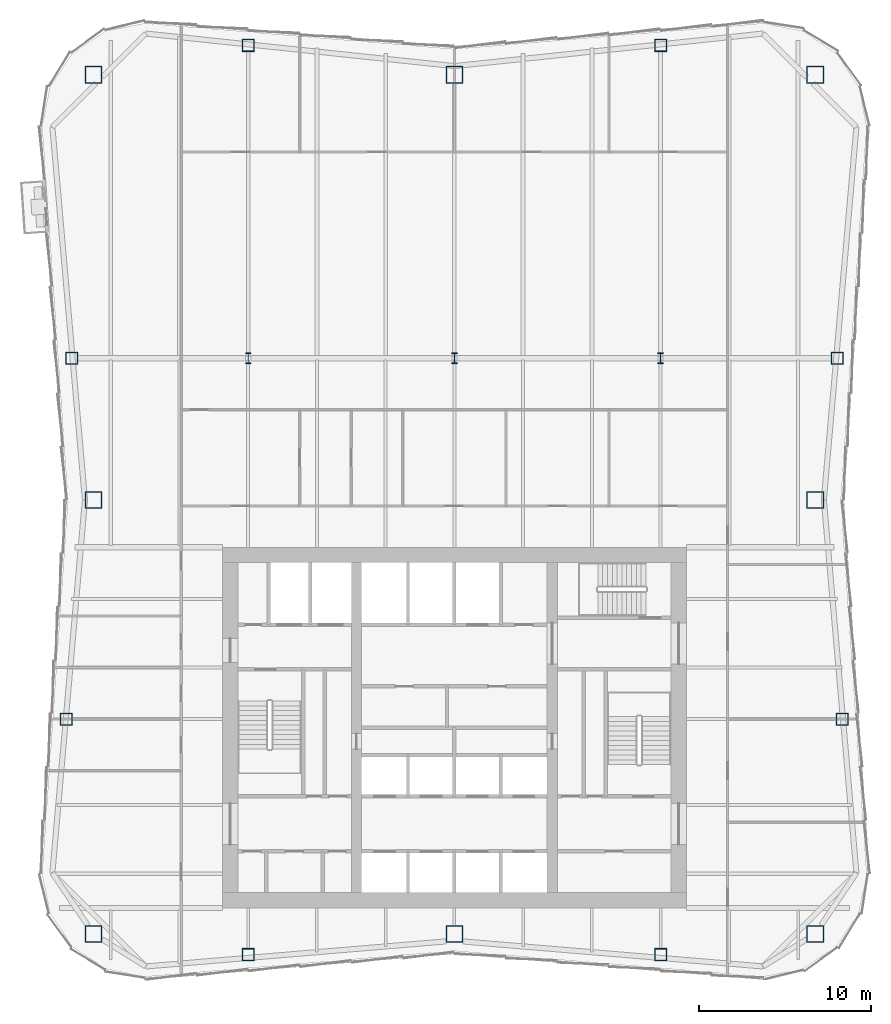
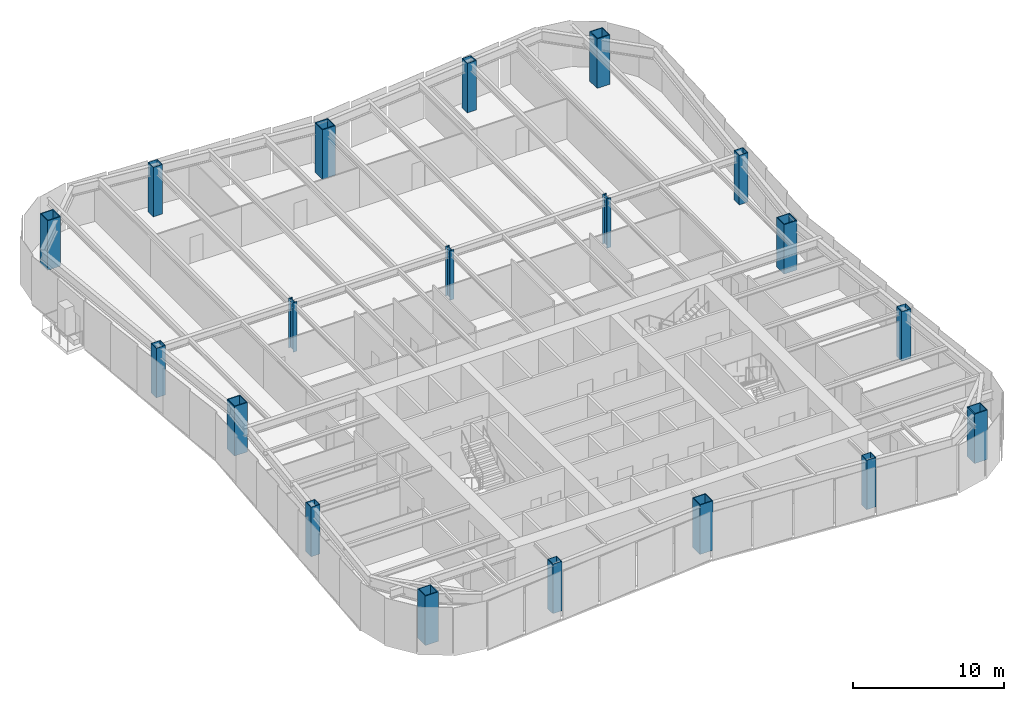
# One storey, part 1 of 10: 19 columns.
"""IFC4 building model written with IfcOpenShell, lengths in metres."""

from ifc_helpers import new_model, si_unit, direction, frame, origin, origin_2d, place, context, subcontext, project, spatial, hollow_rectangle, i_section, extrude, material, material_profile, profile_set, type_object, element, save


model = new_model("IFC4")

# Units and contexts
model_context = context("Model", 3, precision=1e-05, world=origin(), true_north=direction((0.0, 1.0)))
body_context = subcontext(model_context, "Body", "Model", "MODEL_VIEW")
ifc_project = project(units=[si_unit("LENGTHUNIT", "METRE"), si_unit("AREAUNIT", "SQUARE_METRE"), si_unit("VOLUMEUNIT", "CUBIC_METRE"), si_unit("PLANEANGLEUNIT", "RADIAN"), si_unit("MASSUNIT", "GRAM", prefix="KILO")], contexts=[model_context])

# Site, building, storey
site_placement = place(None, origin())
site = spatial("IfcSite", under=ifc_project, at=site_placement, CompositionType="ELEMENT")
building_placement = place(site_placement, origin())
building = spatial("IfcBuilding", under=site, at=building_placement, Name="Verdant Reach Tower", CompositionType="ELEMENT")
storey_placement = place(building_placement, frame((0.0, 0.0, 202.0)))
storey = spatial("IfcBuildingStorey", under=building, at=storey_placement, Name="L46", CompositionType="ELEMENT", Elevation=202.0)

# Columns
ifc_material = material(Name="Steel S460", Category="steel")
ifc_material_profile_1 = material_profile(ifc_material, i_section(OverallWidth=0.304931640625, OverallDepth=0.6201171875, WebThickness=0.02099609375, FlangeThickness=0.0400390625, FilletRadius=0.027099609375, at=origin_2d()), Name="HEM 600")
ifc_profile_set_1 = profile_set([ifc_material_profile_1], Name="Steel S460")
column_type_1 = type_object("IfcColumnType", Name="ST-COL-HEM600", PredefinedType="COLUMN", material=ifc_profile_set_1)
for number, where, z_axis, x_axis, name in (
    (1, (-12.0, 49.5, 0.0), (0.0, 0.0, 1.0), (1.0, 0.0, 0.0), "Interior column 1, L46"),
    (2, (0.0, 49.5, 0.0), (0.0, 0.0, 1.0), (1.0, 0.0, 0.0), "Interior column 2, L46"),
    (3, (12.0, 49.5, 0.0), (0.0, 0.0, 1.0), (1.0, 0.0, 0.0), "Interior column 3, L46"),
):
    element("IfcColumn", number, at=place(storey_placement, frame(where, z_axis=z_axis, x_axis=x_axis)), inside=storey, type_object=column_type_1, Name=name, PredefinedType="COLUMN", context=body_context, shape_type="SweptSolid", body=[
        extrude(i_section(OverallWidth=0.304931640625, OverallDepth=0.6201171875, WebThickness=0.02099609375, FlangeThickness=0.0400390625, FilletRadius=0.027099609375, at=origin_2d()), origin(), (0.0, 0.0, 1.0), 4.0),
    ])
ifc_material_profile_2 = material_profile(ifc_material, hollow_rectangle(XDim=1.0, YDim=1.0, WallThickness=0.06005859375, at=origin_2d()), Name="WB 1000x1000x60")
ifc_profile_set_2 = profile_set([ifc_material_profile_2], Name="Steel S460")
column_type_2 = type_object("IfcColumnType", Name="ST-COL-WB1000x1000x60", PredefinedType="COLUMN", material=ifc_profile_set_2)
for number, where, z_axis, x_axis, name in (
    (4, (-21.0, 66.0, 0.0), (0.0, 0.0, 1.0), (1.0, 0.0, 0.0), "Mega column north-west, L46"),
    (5, (0.0, 66.0, 0.0), (0.0, 0.0, 1.0), (1.0, 0.0, 0.0), "Mega column north, L46"),
    (6, (21.0, 66.0, 0.0), (0.0, 0.0, 1.0), (1.0, 0.0, 0.0), "Mega column north-east, L46"),
    (7, (21.0, 41.25, 0.0), (0.0, 0.0, 1.0), (1.0, 0.0, 0.0), "Mega column east, L46"),
    (8, (21.0, 16.0, 0.0), (0.0, 0.0, 1.0), (1.0, 0.0, 0.0), "Mega column south-east, L46"),
    (9, (0.0, 16.0, 0.0), (0.0, 0.0, 1.0), (1.0, 0.0, 0.0), "Mega column south, L46"),
    (10, (-21.0, 16.0, 0.0), (0.0, 0.0, 1.0), (1.0, 0.0, 0.0), "Mega column south-west, L46"),
    (11, (-21.0, 41.25, 0.0), (0.0, 0.0, 1.0), (1.0, 0.0, 0.0), "Mega column west, L46"),
):
    element("IfcColumn", number, at=place(storey_placement, frame(where, z_axis=z_axis, x_axis=x_axis)), inside=storey, type_object=column_type_2, Name=name, PredefinedType="COLUMN", context=body_context, shape_type="SweptSolid", body=[
        extrude(hollow_rectangle(XDim=1.0, YDim=1.0, WallThickness=0.06005859375, at=origin_2d()), origin(), (0.0, 0.0, 1.0), 4.0),
    ])
ifc_material_profile_3 = material_profile(ifc_material, hollow_rectangle(XDim=0.699951171875, YDim=0.699951171875, WallThickness=0.030029296875, at=origin_2d()), Name="WB 700x700x30")
ifc_profile_set_3 = profile_set([ifc_material_profile_3], Name="Steel S460")
column_type_3 = type_object("IfcColumnType", Name="ST-COL-WB700x700x30", PredefinedType="COLUMN", material=ifc_profile_set_3)
for number, where, z_axis, x_axis, name in (
    (12, (-12.0, 67.699951171875, 0.0), (0.0, 0.0, 1.0), (1.0, 0.0, 0.0), "Perimeter column north 1, L46"),
    (13, (12.0, 67.699951171875, 0.0), (0.0, 0.0, 1.0), (1.0, 0.0, 0.0), "Perimeter column north 2, L46"),
    (14, (-12.0, 14.800048828125, 0.0), (0.0, 0.0, 1.0), (1.0, 0.0, 0.0), "Perimeter column south 1, L46"),
    (15, (12.0, 14.800048828125, 0.0), (0.0, 0.0, 1.0), (1.0, 0.0, 0.0), "Perimeter column south 2, L46"),
    (16, (22.579345703125, 28.5, 0.0), (0.0, 0.0, 1.0), (1.0, 0.0, 0.0), "Perimeter column east 1, L46"),
    (17, (22.26904296875, 49.5, 0.0), (0.0, 0.0, 1.0), (1.0, 0.0, 0.0), "Perimeter column east 2, L46"),
    (18, (-22.579345703125, 28.5, 0.0), (0.0, 0.0, 1.0), (1.0, 0.0, 0.0), "Perimeter column west 1, L46"),
    (19, (-22.26904296875, 49.5, 0.0), (0.0, 0.0, 1.0), (1.0, 0.0, 0.0), "Perimeter column west 2, L46"),
):
    element("IfcColumn", number, at=place(storey_placement, frame(where, z_axis=z_axis, x_axis=x_axis)), inside=storey, type_object=column_type_3, Name=name, PredefinedType="COLUMN", context=body_context, shape_type="SweptSolid", body=[
        extrude(hollow_rectangle(XDim=0.699951171875, YDim=0.699951171875, WallThickness=0.030029296875, at=origin_2d()), origin(), (0.0, 0.0, 1.0), 4.0),
    ])

save(model, "model.ifc")
